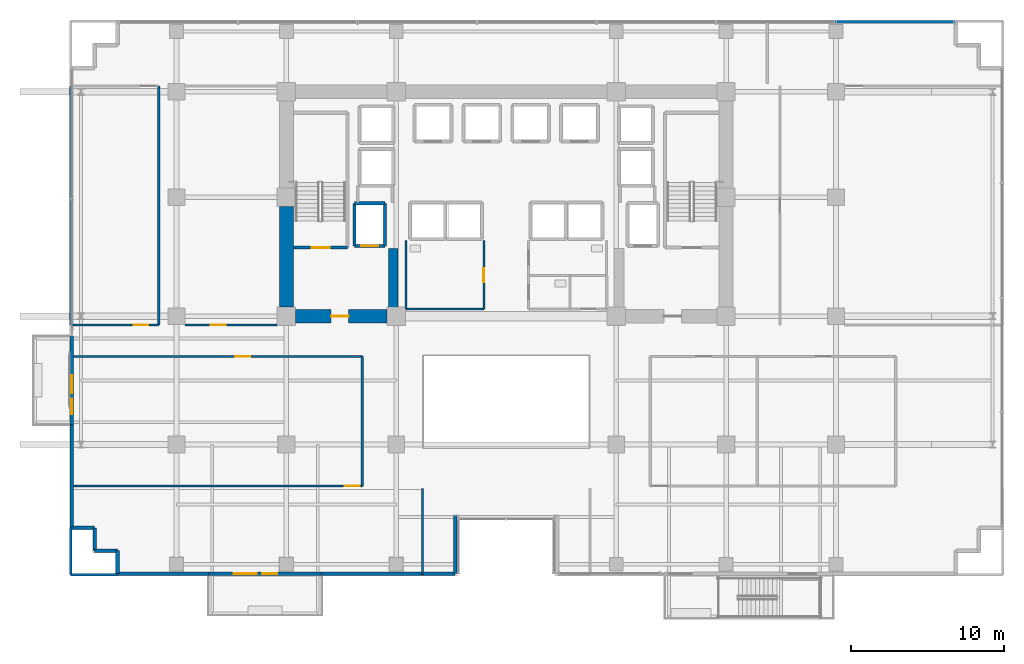
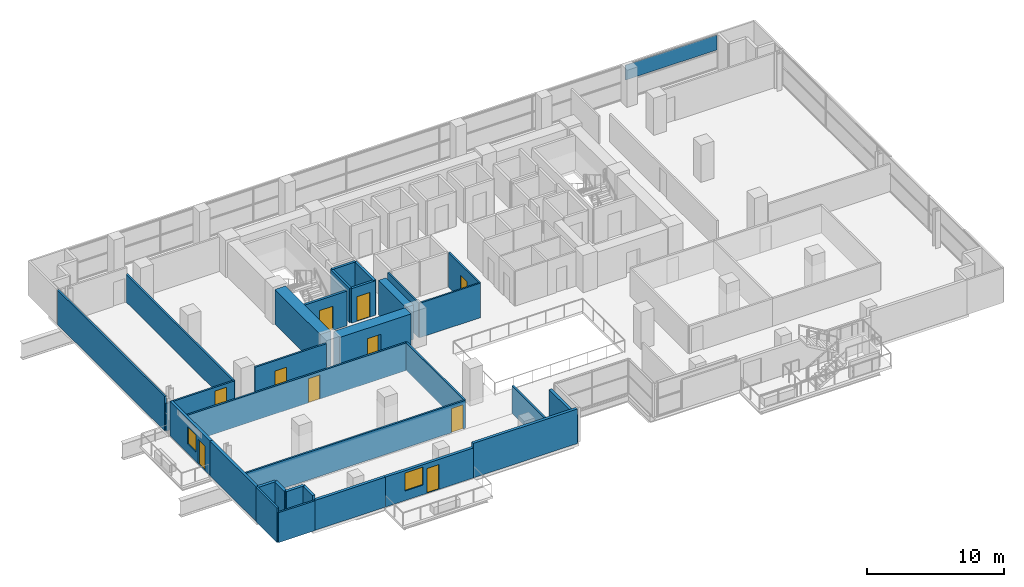
# One storey, part 24 of 31: 31 walls, 10 doors, 2 windows, 1 plate, 12 openings, 1 element without a shape of its own.
"""IFC4 building model written with IfcOpenShell, lengths in metres."""

from ifc_helpers import new_model, si_unit, direction, frame, frame_2d, origin, origin_2d, place, context, subcontext, project, spatial, rectangle, extrude, source, transform, mapped, material, layer, layer_set, type_object, element, fill, aggregate, save


model = new_model("IFC4")

# Units and contexts
model_context = context("Model", 3, precision=1e-05, world=origin(), true_north=direction((0.0, 1.0)))
body_context = subcontext(model_context, "Body", "Model", "MODEL_VIEW")
ifc_project = project(units=[si_unit("LENGTHUNIT", "METRE"), si_unit("AREAUNIT", "SQUARE_METRE"), si_unit("VOLUMEUNIT", "CUBIC_METRE"), si_unit("PLANEANGLEUNIT", "RADIAN"), si_unit("MASSUNIT", "GRAM", prefix="KILO")], contexts=[model_context])

# Site, building, storey
site_placement = place(None, origin())
site = spatial("IfcSite", under=ifc_project, at=site_placement, CompositionType="ELEMENT")
building_placement = place(site_placement, origin())
building = spatial("IfcBuilding", under=site, at=building_placement, Name="Zarnakvel Exchange Tower", CompositionType="ELEMENT")
storey_placement = place(building_placement, frame((0.0, 0.0, 53.800048828125)))
storey = spatial("IfcBuildingStorey", under=building, at=storey_placement, Name="L14", CompositionType="ELEMENT", Elevation=53.800048828125)

# Curtain wall, plate
ifc_material_1 = material(Name="Architectural Bronze Anodised Aluminium", Category="aluminium")
ifc_layer_1 = layer(ifc_material_1, 0.239990234375)
ifc_layer_set_1 = layer_set([ifc_layer_1], Name="Architectural Bronze Anodised Aluminium")
curtain_wall_type = type_object("IfcCurtainWallType", Name="CW-02", PredefinedType="NOTDEFINED", material=ifc_layer_set_1)
curtain_wall_placement = place(storey_placement, origin())
curtain_wall = element("IfcCurtainWall", 1, at=curtain_wall_placement, inside=storey, type_object=curtain_wall_type, Name="L14 Curtain Wall CW-L14-N1 (CW-02)", PredefinedType="NOTDEFINED")
ifc_material_2 = material(Name="Double Low-E Laminated Vision Glass", Category="glass")
ifc_layer_2 = layer(ifc_material_2, 0.031982421875)
ifc_layer_set_2 = layer_set([ifc_layer_2], Name="Double Low-E Laminated Vision Glass")
plate_type = type_object("IfcPlateType", Name="CWP-02", PredefinedType="CURTAIN_PANEL", material=ifc_layer_set_2)
shared_shape_1 = source(origin(), body_context, "Body", "SweptSolid", [
    extrude(rectangle(XDim=7.693603515625, YDim=0.031982421875, at=origin_2d()), origin(), (0.0, 0.0, 1.0), 1.3388671875),
])
plate_placement = place(storey_placement, frame((25.463134765625, 18.06005859375, 1.631103515625), z_axis=(0.0, 0.0, 1.0), x_axis=(1.0, 0.0, 0.0)))
plate = element("IfcPlate", 2, at=plate_placement, type_object=plate_type, Name="CW-02 panel 7.2", PredefinedType="CURTAIN_PANEL", context=body_context, shape_type="MappedRepresentation", body=[
    mapped(shared_shape_1, transform((0.0, 0.0, 0.0), x_axis=(1.0, 0.0, 0.0), y_axis=(0.0, 1.0, 0.0), z_axis=(0.0, 0.0, 1.0), scale=1.0)),
])
aggregate(curtain_wall, [plate])

# Wall
ifc_material_3 = material(Name="Concrete C80/95", Category="concrete")
ifc_layer_3 = layer(ifc_material_3, 0.89990234375)
ifc_layer_set_3 = layer_set([ifc_layer_3], Name="Concrete C80/95")
wall_type_1 = type_object("IfcWallType", Name="CW-C1", PredefinedType="SHEAR", material=ifc_layer_set_3)
wall_1_placement = place(storey_placement, frame((-14.39990234375, -0.60009765625, 0.0), z_axis=(0.0, 0.0, 1.0), x_axis=(0.0, 1.0, 0.0)))
element("IfcWall", 3, at=wall_1_placement, inside=storey, type_object=wall_type_1, Name="L14 Rear Core Shear Wall W1 (CW-C1)", PredefinedType="SHEAR", context=body_context, shape_type="SweptSolid", body=[
    extrude(rectangle(XDim=6.60009765625, YDim=0.89990234375, at=frame_2d((3.300048828125, 0.0))), origin(), (0.0, 0.0, 1.0), 3.074951171875),
])

# Wall, opening, door
wall_2_placement = place(storey_placement, frame((-7.800048828125, -1.199951171875, 0.0), z_axis=(0.0, 0.0, 1.0), x_axis=(-1.0, 0.0, 0.0)))
wall_2 = element("IfcWall", 4, at=wall_2_placement, inside=storey, type_object=wall_type_1, Name="L14 Rear Core Shear Wall SW (CW-C1)", PredefinedType="SHEAR", context=body_context, shape_type="SweptSolid", body=[
    extrude(rectangle(XDim=6.0, YDim=0.89990234375, at=frame_2d((3.0, 0.0))), origin(), (0.0, 0.0, 1.0), 3.074951171875),
])
opening_1_placement = place(wall_2_placement, frame((2.52490234375, 0.0, 0.0)))
opening_1 = element("IfcOpeningElement", 5, at=opening_1_placement, cuts=wall_2, Name="Opening D-L14-03", PredefinedType="OPENING", context=body_context, shape_type="SweptSolid", body=[
    extrude(rectangle(XDim=1.14990234375, YDim=2.14990234375, at=frame_2d((0.574951171875, 1.074951171875))), frame((0.0, 0.4599609375, 0.0), z_axis=(0.0, -1.0, 0.0), x_axis=(1.0, 0.0, 0.0)), (0.0, 0.0, 1.0), 0.919921875),
])
ifc_material_4 = material(Name="Painted Galvanised Steel S355", Category="steel")
door_type_1 = type_object("IfcDoorType", Name="DT-04", OperationType="NOTDEFINED", PredefinedType="DOOR", material=ifc_material_4)
shared_shape_2 = source(origin(), body_context, "Body", "SweptSolid", [
    extrude(rectangle(XDim=1.14990234375, YDim=2.14990234375, at=frame_2d((0.574951171875, 1.074951171875))), frame((0.0, 0.02490234375, 0.0), z_axis=(0.0, -1.0, 0.0), x_axis=(1.0, 0.0, 0.0)), (0.0, 0.0, 1.0), 0.050048828125),
])
door_1_placement = place(opening_1_placement, origin())
door_1 = element("IfcDoor", 6, at=door_1_placement, inside=storey, type_object=door_type_1, Name="L14 Firefighting Lobby West Door D-L14-03", OperationType="SINGLE_SWING_LEFT", OverallHeight=2.14990234375, OverallWidth=1.14990234375, PredefinedType="DOOR", context=body_context, shape_type="MappedRepresentation", body=[
    mapped(shared_shape_2, transform((0.0, 0.0, 0.0), x_axis=(1.0, 0.0, 0.0), y_axis=(0.0, 1.0, 0.0), z_axis=(0.0, 0.0, 1.0), scale=1.0)),
])
fill(opening_1, door_1)

# Wall
ifc_layer_4 = layer(ifc_material_3, 0.64990234375)
ifc_layer_set_4 = layer_set([ifc_layer_4], Name="Concrete C80/95")
wall_type_2 = type_object("IfcWallType", Name="CW-C2", PredefinedType="SHEAR", material=ifc_layer_set_4)
wall_3_placement = place(storey_placement, frame((-7.39990234375, -0.75, 0.0), z_axis=(0.0, 0.0, 1.0), x_axis=(0.0, 1.0, 0.0)))
element("IfcWall", 7, at=wall_3_placement, inside=storey, type_object=wall_type_2, Name="L14 Rear Core Shear Wall IW (CW-C2)", PredefinedType="SHEAR", context=body_context, shape_type="SweptSolid", body=[
    extrude(rectangle(XDim=4.0, YDim=0.64990234375, at=frame_2d((2.0, 0.0))), origin(), (0.0, 0.0, 1.0), 3.074951171875),
])

# Wall, openings, door, window
ifc_material_5 = material(Name="Precast concrete C40/50", Category="concrete")
ifc_layer_5 = layer(ifc_material_5, 0.239990234375)
ifc_layer_set_5 = layer_set([ifc_layer_5], Name="Precast concrete C40/50")
wall_type_3 = type_object("IfcWallType", Name="EW-02", PredefinedType="SOLIDWALL", material=ifc_layer_set_5)
wall_4_placement = place(storey_placement, frame((-12.10009765625, -18.06005859375, 0.0), z_axis=(0.0, 0.0, 1.0), x_axis=(-1.0, 0.0, 0.0)))
wall_4 = element("IfcWall", 8, at=wall_4_placement, inside=storey, type_object=wall_type_3, Name="L14 Exterior Precast Spandrel Wall EW-BAL-L14-SW (EW-02)", PredefinedType="SOLIDWALL", context=body_context, shape_type="SweptSolid", body=[
    extrude(rectangle(XDim=7.39990234375, YDim=0.239990234375, at=frame_2d((3.699951171875, 0.0))), origin(), (0.0, 0.0, 1.0), 2.6650390625),
])
opening_2_placement = place(wall_4_placement, frame((2.885986328125, 0.0, 0.0)))
opening_2 = element("IfcOpeningElement", 9, at=opening_2_placement, cuts=wall_4, Name="Opening BD-L14-01", PredefinedType="OPENING", context=body_context, shape_type="SweptSolid", body=[
    extrude(rectangle(XDim=1.0, YDim=2.199951171875, at=frame_2d((0.5, 1.10009765625))), frame((0.0, 0.1298828125, 0.0), z_axis=(0.0, -1.0, 0.0), x_axis=(1.0, 0.0, 0.0)), (0.0, 0.0, 1.0), 0.260009765625),
])
opening_3_placement = place(wall_4_placement, frame((4.236083984375, 0.0, 0.85009765625)))
opening_3 = element("IfcOpeningElement", 10, at=opening_3_placement, cuts=wall_4, Name="Opening WN-03", PredefinedType="OPENING", context=body_context, shape_type="SweptSolid", body=[
    extrude(rectangle(XDim=1.5, YDim=1.60009765625, at=frame_2d((0.75, 0.800048828125))), frame((0.0, 0.1298828125, 0.0), z_axis=(0.0, -1.0, 0.0), x_axis=(1.0, 0.0, 0.0)), (0.0, 0.0, 1.0), 0.260009765625),
])
door_type_2 = type_object("IfcDoorType", Name="DT-09", OperationType="NOTDEFINED", PredefinedType="DOOR", material=ifc_material_1)
shared_shape_3 = source(origin(), body_context, "Body", "SweptSolid", [
    extrude(rectangle(XDim=1.0, YDim=2.199951171875, at=frame_2d((0.5, 1.10009765625))), frame((0.0, 0.02490234375, 0.0), z_axis=(0.0, -1.0, 0.0), x_axis=(1.0, 0.0, 0.0)), (0.0, 0.0, 1.0), 0.050048828125),
])
door_2_placement = place(opening_2_placement, origin())
door_2 = element("IfcDoor", 11, at=door_2_placement, inside=storey, type_object=door_type_2, Name="L14 Planted Loggia Balcony Door BD-L14-01", OperationType="SINGLE_SWING_RIGHT", OverallHeight=2.199951171875, OverallWidth=1.0, PredefinedType="DOOR", context=body_context, shape_type="MappedRepresentation", body=[
    mapped(shared_shape_3, transform((0.0, 0.0, 0.0), x_axis=(1.0, 0.0, 0.0), y_axis=(0.0, 1.0, 0.0), z_axis=(0.0, 0.0, 1.0), scale=1.0)),
])
fill(opening_2, door_2)
window_type_1 = type_object("IfcWindowType", Name="WN-03", PartitioningType="SINGLE_PANEL", PredefinedType="WINDOW", material=ifc_material_2)
shared_shape_4 = source(origin(), body_context, "Body", "SweptSolid", [
    extrude(rectangle(XDim=1.5, YDim=1.60009765625, at=frame_2d((0.75, 0.800048828125))), frame((0.0, 0.030029296875, 0.0), z_axis=(0.0, -1.0, 0.0), x_axis=(1.0, 0.0, 0.0)), (0.0, 0.0, 1.0), 0.06005859375),
])
window_1_placement = place(opening_3_placement, origin())
window_1 = element("IfcWindow", 12, at=window_1_placement, inside=storey, type_object=window_type_1, Name="L14 Loggia Daylight Window (WN-03)", OverallHeight=1.60009765625, OverallWidth=1.5, PartitioningType="SINGLE_PANEL", PredefinedType="WINDOW", context=body_context, shape_type="MappedRepresentation", body=[
    mapped(shared_shape_4, transform((0.0, 0.0, 0.0), x_axis=(1.0, 0.0, 0.0), y_axis=(0.0, 1.0, 0.0), z_axis=(0.0, 0.0, 1.0), scale=1.0)),
])
fill(opening_3, window_1)

wall_5_placement = place(storey_placement, frame((-28.4599609375, -8.300048828125, 0.0), z_axis=(0.0, 0.0, 1.0), x_axis=(0.0, 1.0, 0.0)))
wall_5 = element("IfcWall", 13, at=wall_5_placement, inside=storey, type_object=wall_type_3, Name="L14 Exterior Precast Spandrel Wall EW-BAL-L14-W (EW-02)", PredefinedType="SOLIDWALL", context=body_context, shape_type="SweptSolid", body=[
    extrude(rectangle(XDim=5.800048828125, YDim=0.239990234375, at=frame_2d((2.89990234375, 0.0))), origin(), (0.0, 0.0, 1.0), 3.074951171875),
])
opening_4_placement = place(wall_5_placement, frame((0.696044921875, 0.0, 0.0)))
opening_4 = element("IfcOpeningElement", 14, at=opening_4_placement, cuts=wall_5, Name="Opening BD-L14-02", PredefinedType="OPENING", context=body_context, shape_type="SweptSolid", body=[
    extrude(rectangle(XDim=1.0, YDim=2.199951171875, at=frame_2d((0.5, 1.10009765625))), frame((0.0, 0.1298828125, 0.0), z_axis=(0.0, -1.0, 0.0), x_axis=(1.0, 0.0, 0.0)), (0.0, 0.0, 1.0), 0.260009765625),
])
opening_5_placement = place(wall_5_placement, frame((2.0458984375, 0.0, 0.85009765625)))
opening_5 = element("IfcOpeningElement", 15, at=opening_5_placement, cuts=wall_5, Name="Opening WN-04", PredefinedType="OPENING", context=body_context, shape_type="SweptSolid", body=[
    extrude(rectangle(XDim=1.199951171875, YDim=1.5, at=frame_2d((0.60009765625, 0.75))), frame((0.0, 0.1298828125, 0.0), z_axis=(0.0, -1.0, 0.0), x_axis=(1.0, 0.0, 0.0)), (0.0, 0.0, 1.0), 0.260009765625),
])
door_3_placement = place(opening_4_placement, origin())
door_3 = element("IfcDoor", 16, at=door_3_placement, inside=storey, type_object=door_type_2, Name="L14 Planted Loggia Balcony Door BD-L14-02", OperationType="SINGLE_SWING_LEFT", OverallHeight=2.199951171875, OverallWidth=1.0, PredefinedType="DOOR", context=body_context, shape_type="MappedRepresentation", body=[
    mapped(shared_shape_3, transform((0.0, 0.0, 0.0), x_axis=(1.0, 0.0, 0.0), y_axis=(0.0, 1.0, 0.0), z_axis=(0.0, 0.0, 1.0), scale=1.0)),
])
fill(opening_4, door_3)
window_type_2 = type_object("IfcWindowType", Name="WN-04", PartitioningType="SINGLE_PANEL", PredefinedType="WINDOW", material=ifc_material_2)
shared_shape_5 = source(origin(), body_context, "Body", "SweptSolid", [
    extrude(rectangle(XDim=1.199951171875, YDim=1.5, at=frame_2d((0.60009765625, 0.75))), frame((0.0, 0.030029296875, 0.0), z_axis=(0.0, -1.0, 0.0), x_axis=(1.0, 0.0, 0.0)), (0.0, 0.0, 1.0), 0.06005859375),
])
window_2_placement = place(opening_5_placement, origin())
window_2 = element("IfcWindow", 17, at=window_2_placement, inside=storey, type_object=window_type_2, Name="L14 Loggia Daylight Window (WN-04)", OverallHeight=1.5, OverallWidth=1.199951171875, PartitioningType="SINGLE_PANEL", PredefinedType="WINDOW", context=body_context, shape_type="MappedRepresentation", body=[
    mapped(shared_shape_5, transform((0.0, 0.0, 0.0), x_axis=(1.0, 0.0, 0.0), y_axis=(0.0, 1.0, 0.0), z_axis=(0.0, 0.0, 1.0), scale=1.0)),
])
fill(opening_5, window_2)

# Walls
wall_6_placement = place(storey_placement, frame((-28.4599609375, -8.300048828125, 0.0), z_axis=(0.0, 0.0, 1.0), x_axis=(0.0, -1.0, 0.0)))
element("IfcWall", 18, at=wall_6_placement, inside=storey, type_object=wall_type_3, Name="L14 Exterior Precast Spandrel Wall EWC-L14-01 (EW-02)", PredefinedType="SOLIDWALL", context=body_context, shape_type="SweptSolid", body=[
    extrude(rectangle(XDim=6.760009765625, YDim=0.239990234375, at=frame_2d((3.3798828125, 0.0))), origin(), (0.0, 0.0, 1.0), 3.074951171875),
])
wall_7_placement = place(storey_placement, frame((-3.340087890625, -18.06005859375, 0.0), z_axis=(0.0, 0.0, 1.0), x_axis=(0.0, 1.0, 0.0)))
element("IfcWall", 19, at=wall_7_placement, inside=storey, type_object=wall_type_3, Name="L14 Exterior Precast Spandrel Wall EWC-L14-20 (EW-02)", PredefinedType="SOLIDWALL", context=body_context, shape_type="SweptSolid", body=[
    extrude(rectangle(XDim=3.800048828125, YDim=0.239990234375, at=frame_2d((1.89990234375, 0.0))), origin(), (0.0, 0.0, 1.0), 2.46484375),
])
wall_8_placement = place(storey_placement, frame((-12.10009765625, -18.06005859375, 0.0), z_axis=(0.0, 0.0, 1.0), x_axis=(1.0, 0.0, 0.0)))
element("IfcWall", 20, at=wall_8_placement, inside=storey, type_object=wall_type_3, Name="L14 Exterior Precast Spandrel Wall EWC-L14-21 (EW-02)", PredefinedType="SOLIDWALL", context=body_context, shape_type="SweptSolid", body=[
    extrude(rectangle(XDim=8.760009765625, YDim=0.239990234375, at=frame_2d((4.3798828125, 0.0))), origin(), (0.0, 0.0, 1.0), 3.074951171875),
])
wall_9_placement = place(storey_placement, frame((-25.4599609375, -18.06005859375, 0.0), z_axis=(0.0, 0.0, 1.0), x_axis=(1.0, 0.0, 0.0)))
element("IfcWall", 21, at=wall_9_placement, inside=storey, type_object=wall_type_3, Name="L14 Exterior Precast Spandrel Wall EWC-L14-22 (EW-02)", PredefinedType="SOLIDWALL", context=body_context, shape_type="SweptSolid", body=[
    extrude(rectangle(XDim=5.9599609375, YDim=0.239990234375, at=frame_2d((2.97998046875, 0.0))), origin(), (0.0, 0.0, 1.0), 2.6650390625),
])
for number, where, z_axis, x_axis, name in (
    (22, (-25.4599609375, -16.56005859375, 0.0), (0.0, 0.0, 1.0), (0.0, -1.0, 0.0), "L14 Exterior Precast Spandrel Wall EWC-L14-23 (EW-02)"),
    (23, (-26.9599609375, -16.56005859375, 0.0), (0.0, 0.0, 1.0), (1.0, 0.0, 0.0), "L14 Exterior Precast Spandrel Wall EWC-L14-24 (EW-02)"),
    (24, (-26.9599609375, -15.06005859375, 0.0), (0.0, 0.0, 1.0), (0.0, -1.0, 0.0), "L14 Exterior Precast Spandrel Wall EWC-L14-25 (EW-02)"),
    (25, (-28.4599609375, -15.06005859375, 0.0), (0.0, 0.0, 1.0), (1.0, 0.0, 0.0), "L14 Exterior Precast Spandrel Wall EWC-L14-26 (EW-02)"),
):
    element("IfcWall", number, at=place(storey_placement, frame(where, z_axis=z_axis, x_axis=x_axis)), inside=storey, type_object=wall_type_3, Name=name, PredefinedType="SOLIDWALL", context=body_context, shape_type="SweptSolid", body=[
        extrude(rectangle(XDim=1.5, YDim=0.239990234375, at=frame_2d((0.75, 0.0))), origin(), (0.0, 0.0, 1.0), 3.074951171875),
    ])

# Wall, opening, door
ifc_material_6 = material(Name="Fire-Rated Gypsum Stud Partition", Category="gypsum")
ifc_layer_6 = layer(ifc_material_6, 0.14990234375)
ifc_layer_set_6 = layer_set([ifc_layer_6], Name="Fire-Rated Gypsum Stud Partition")
wall_type_4 = type_object("IfcWallType", Name="PT-01", PredefinedType="PARTITIONING", material=ifc_layer_set_6)
wall_10_placement = place(storey_placement, frame((-9.429931640625, -12.320068359375, 0.0), z_axis=(0.0, 0.0, 1.0), x_axis=(-1.0, 0.0, 0.0)))
wall_10 = element("IfcWall", 26, at=wall_10_placement, inside=storey, type_object=wall_type_4, Name="L14 Partition Wall PWALL-L14-022 (PT-01)", PredefinedType="PARTITIONING", context=body_context, shape_type="SweptSolid", body=[
    extrude(rectangle(XDim=19.10009765625, YDim=0.14990234375, at=frame_2d((9.550048828125, 0.0))), origin(), (0.0, 0.0, 1.0), 2.46484375),
])
opening_6_placement = place(wall_10_placement, frame((0.179931640625, 0.0, 0.0)))
opening_6 = element("IfcOpeningElement", 27, at=opening_6_placement, cuts=wall_10, Name="Opening D-L14-10", PredefinedType="OPENING", context=body_context, shape_type="SweptSolid", body=[
    extrude(rectangle(XDim=0.97998046875, YDim=2.14990234375, at=frame_2d((0.489990234375, 1.074951171875))), frame((0.0, 0.0849609375, 0.0), z_axis=(0.0, -1.0, 0.0), x_axis=(1.0, 0.0, 0.0)), (0.0, 0.0, 1.0), 0.169921875),
])
ifc_material_7 = material(Name="Timber Acoustic Veneer", Category="wood")
door_type_3 = type_object("IfcDoorType", Name="DT-05", OperationType="NOTDEFINED", PredefinedType="DOOR", material=ifc_material_7)
shared_shape_6 = source(origin(), body_context, "Body", "SweptSolid", [
    extrude(rectangle(XDim=0.97998046875, YDim=2.14990234375, at=frame_2d((0.489990234375, 1.074951171875))), frame((0.0, 0.02490234375, 0.0), z_axis=(0.0, -1.0, 0.0), x_axis=(1.0, 0.0, 0.0)), (0.0, 0.0, 1.0), 0.050048828125),
])
door_4_placement = place(opening_6_placement, origin())
door_4 = element("IfcDoor", 28, at=door_4_placement, inside=storey, type_object=door_type_3, Name="L14 Commodities Dealing Room Door D-L14-10", OperationType="SINGLE_SWING_RIGHT", OverallHeight=2.14990234375, OverallWidth=0.97998046875, PredefinedType="DOOR", context=body_context, shape_type="MappedRepresentation", body=[
    mapped(shared_shape_6, transform((0.0, 0.0, 0.0), x_axis=(1.0, 0.0, 0.0), y_axis=(0.0, 1.0, 0.0), z_axis=(0.0, 0.0, 1.0), scale=1.0)),
])
fill(opening_6, door_4)

wall_11_placement = place(storey_placement, frame((-28.530029296875, -3.830078125, 0.0), z_axis=(0.0, 0.0, 1.0), x_axis=(1.0, 0.0, 0.0)))
wall_11 = element("IfcWall", 29, at=wall_11_placement, inside=storey, type_object=wall_type_4, Name="L14 Partition Wall PWALL-L14-023 (PT-01)", PredefinedType="PARTITIONING", context=body_context, shape_type="SweptSolid", body=[
    extrude(rectangle(XDim=19.10009765625, YDim=0.14990234375, at=frame_2d((9.550048828125, 0.0))), origin(), (0.0, 0.0, 1.0), 2.46484375),
])
opening_7_placement = place(wall_11_placement, frame((10.784912109375, 0.0, 0.0)))
opening_7 = element("IfcOpeningElement", 30, at=opening_7_placement, cuts=wall_11, Name="Opening D-L14-09", PredefinedType="OPENING", context=body_context, shape_type="SweptSolid", body=[
    extrude(rectangle(XDim=0.97998046875, YDim=2.14990234375, at=frame_2d((0.489990234375, 1.074951171875))), frame((0.0, 0.0849609375, 0.0), z_axis=(0.0, -1.0, 0.0), x_axis=(1.0, 0.0, 0.0)), (0.0, 0.0, 1.0), 0.169921875),
])
door_5_placement = place(opening_7_placement, origin())
door_5 = element("IfcDoor", 31, at=door_5_placement, inside=storey, type_object=door_type_3, Name="L14 Commodities Dealing Room Door D-L14-09", OperationType="SINGLE_SWING_LEFT", OverallHeight=2.14990234375, OverallWidth=0.97998046875, PredefinedType="DOOR", context=body_context, shape_type="MappedRepresentation", body=[
    mapped(shared_shape_6, transform((0.0, 0.0, 0.0), x_axis=(1.0, 0.0, 0.0), y_axis=(0.0, 1.0, 0.0), z_axis=(0.0, 0.0, 1.0), scale=1.0)),
])
fill(opening_7, door_5)

# Walls
wall_12_placement = place(storey_placement, frame((-9.429931640625, -3.830078125, 0.0), z_axis=(0.0, 0.0, 1.0), x_axis=(0.0, -1.0, 0.0)))
element("IfcWall", 32, at=wall_12_placement, inside=storey, type_object=wall_type_4, Name="L14 Partition Wall PWALL-L14-025 (PT-01)", PredefinedType="PARTITIONING", context=body_context, shape_type="SweptSolid", body=[
    extrude(rectangle(XDim=8.489990234375, YDim=0.14990234375, at=frame_2d((4.2451171875, 0.0))), origin(), (0.0, 0.0, 1.0), 2.46484375),
])
wall_13_placement = place(storey_placement, frame((-25.4599609375, -18.1298828125, 0.0), z_axis=(0.0, 0.0, 1.0), x_axis=(-1.0, 0.0, 0.0)))
element("IfcWall", 33, at=wall_13_placement, inside=storey, type_object=wall_type_4, Name="L14 Partition Wall PWALL-L14-026 (PT-01)", PredefinedType="PARTITIONING", context=body_context, shape_type="SweptSolid", body=[
    extrude(rectangle(XDim=3.070068359375, YDim=0.14990234375, at=frame_2d((1.53515625, 0.0))), origin(), (0.0, 0.0, 1.0), 2.6650390625),
])
wall_14_placement = place(storey_placement, frame((-28.530029296875, -18.1298828125, 0.0), z_axis=(0.0, 0.0, 1.0), x_axis=(0.0, 1.0, 0.0)))
element("IfcWall", 34, at=wall_14_placement, inside=storey, type_object=wall_type_4, Name="L14 Partition Wall PWALL-L14-027 (PT-01)", PredefinedType="PARTITIONING", context=body_context, shape_type="SweptSolid", body=[
    extrude(rectangle(XDim=3.06982421875, YDim=0.14990234375, at=frame_2d((1.534912109375, 0.0))), origin(), (0.0, 0.0, 1.0), 3.074951171875),
])
wall_15_placement = place(storey_placement, frame((-5.47998046875, -12.47998046875, 0.0), z_axis=(0.0, 0.0, 1.0), x_axis=(0.0, -1.0, 0.0)))
element("IfcWall", 35, at=wall_15_placement, inside=storey, type_object=wall_type_4, Name="L14 Partition Wall PWALL-L14-028 (PT-01)", PredefinedType="PARTITIONING", context=body_context, shape_type="SweptSolid", body=[
    extrude(rectangle(XDim=5.64990234375, YDim=0.14990234375, at=frame_2d((2.824951171875, 0.0))), origin(), (0.0, 0.0, 1.0), 2.46484375),
])

# Wall, opening, door
wall_16_placement = place(storey_placement, frame((-22.7685546875, -1.77001953125, 0.0), z_axis=(0.0, 0.0, 1.0), x_axis=(-1.0, 0.0, 0.0)))
wall_16 = element("IfcWall", 36, at=wall_16_placement, inside=storey, type_object=wall_type_4, Name="L14 Partition Wall PWALL-L14-040 (PT-01)", PredefinedType="PARTITIONING", context=body_context, shape_type="SweptSolid", body=[
    extrude(rectangle(XDim=5.761474609375, YDim=0.14990234375, at=frame_2d((2.880859375, 0.0))), origin(), (0.0, 0.0, 1.0), 2.46484375),
])
opening_8_placement = place(wall_16_placement, frame((0.66552734375, 0.0, 0.0)))
opening_8 = element("IfcOpeningElement", 37, at=opening_8_placement, cuts=wall_16, Name="Opening D-L14-14", PredefinedType="OPENING", context=body_context, shape_type="SweptSolid", body=[
    extrude(rectangle(XDim=0.97998046875, YDim=2.14990234375, at=frame_2d((0.489990234375, 1.074951171875))), frame((0.0, 0.0849609375, 0.0), z_axis=(0.0, -1.0, 0.0), x_axis=(1.0, 0.0, 0.0)), (0.0, 0.0, 1.0), 0.169921875),
])
door_6_placement = place(opening_8_placement, origin())
door_6 = element("IfcDoor", 38, at=door_6_placement, inside=storey, type_object=door_type_3, Name="L14 Boardroom Door D-L14-14", OperationType="SINGLE_SWING_RIGHT", OverallHeight=2.14990234375, OverallWidth=0.97998046875, PredefinedType="DOOR", context=body_context, shape_type="MappedRepresentation", body=[
    mapped(shared_shape_6, transform((0.0, 0.0, 0.0), x_axis=(1.0, 0.0, 0.0), y_axis=(0.0, 1.0, 0.0), z_axis=(0.0, 0.0, 1.0), scale=1.0)),
])
fill(opening_8, door_6)

# Walls
wall_17_placement = place(storey_placement, frame((-28.530029296875, -1.77001953125, 0.0), z_axis=(0.0, 0.0, 1.0), x_axis=(0.0, 1.0, 0.0)))
element("IfcWall", 39, at=wall_17_placement, inside=storey, type_object=wall_type_4, Name="L14 Partition Wall PWALL-L14-042 (PT-01)", PredefinedType="PARTITIONING", context=body_context, shape_type="SweptSolid", body=[
    extrude(rectangle(XDim=15.64990234375, YDim=0.14990234375, at=frame_2d((7.824951171875, 0.0))), origin(), (0.0, 0.0, 1.0), 3.074951171875),
])
wall_18_placement = place(storey_placement, frame((-22.7685546875, 13.8798828125, 0.0), z_axis=(0.0, 0.0, 1.0), x_axis=(0.0, -1.0, 0.0)))
element("IfcWall", 40, at=wall_18_placement, inside=storey, type_object=wall_type_4, Name="L14 Partition Wall PWALL-L14-043 (PT-01)", PredefinedType="PARTITIONING", context=body_context, shape_type="SweptSolid", body=[
    extrude(rectangle(XDim=15.64990234375, YDim=0.14990234375, at=frame_2d((7.824951171875, 0.0))), origin(), (0.0, 0.0, 1.0), 2.46484375),
])

# Wall, opening, door
wall_19_placement = place(storey_placement, frame((-15.02001953125, -1.77001953125, 0.0), z_axis=(0.0, 0.0, 1.0), x_axis=(-1.0, 0.0, 0.0)))
wall_19 = element("IfcWall", 41, at=wall_19_placement, inside=storey, type_object=wall_type_4, Name="L14 Partition Wall PWALL-L14-044 (PT-01)", PredefinedType="PARTITIONING", context=body_context, shape_type="SweptSolid", body=[
    extrude(rectangle(XDim=6.010009765625, YDim=0.14990234375, at=frame_2d((3.0048828125, 0.0))), origin(), (0.0, 0.0, 1.0), 3.074951171875),
])
opening_9_placement = place(wall_19_placement, frame((3.35888671875, 0.0, 0.0)))
opening_9 = element("IfcOpeningElement", 42, at=opening_9_placement, cuts=wall_19, Name="Opening D-L14-15", PredefinedType="OPENING", context=body_context, shape_type="SweptSolid", body=[
    extrude(rectangle(XDim=0.97998046875, YDim=2.14990234375, at=frame_2d((0.489990234375, 1.074951171875))), frame((0.0, 0.0849609375, 0.0), z_axis=(0.0, -1.0, 0.0), x_axis=(1.0, 0.0, 0.0)), (0.0, 0.0, 1.0), 0.169921875),
])
door_7_placement = place(opening_9_placement, origin())
door_7 = element("IfcDoor", 43, at=door_7_placement, inside=storey, type_object=door_type_3, Name="L14 Tea Pantry Door D-L14-15", OperationType="SINGLE_SWING_LEFT", OverallHeight=2.14990234375, OverallWidth=0.97998046875, PredefinedType="DOOR", context=body_context, shape_type="MappedRepresentation", body=[
    mapped(shared_shape_6, transform((0.0, 0.0, 0.0), x_axis=(1.0, 0.0, 0.0), y_axis=(0.0, 1.0, 0.0), z_axis=(0.0, 0.0, 1.0), scale=1.0)),
])
fill(opening_9, door_7)

# Walls
ifc_material_8 = material(Name="Moisture-Resistant Tile-Faced Partition", Category="gypsum")
ifc_layer_7 = layer(ifc_material_8, 0.135009765625)
ifc_layer_set_7 = layer_set([ifc_layer_7], Name="Moisture-Resistant Tile-Faced Partition")
wall_type_5 = type_object("IfcWallType", Name="PT-03", PredefinedType="PARTITIONING", material=ifc_layer_set_7)
wall_20_placement = place(storey_placement, frame((-1.469970703125, -0.72998046875, 0.0), z_axis=(0.0, 0.0, 1.0), x_axis=(-1.0, 0.0, 0.0)))
element("IfcWall", 44, at=wall_20_placement, inside=storey, type_object=wall_type_5, Name="L14 Partition Wall PWALL-L14-011 (PT-03)", PredefinedType="PARTITIONING", context=body_context, shape_type="SweptSolid", body=[
    extrude(rectangle(XDim=5.110107421875, YDim=0.135009765625, at=frame_2d((2.55517578125, 0.0))), origin(), (0.0, 0.0, 1.0), 3.074951171875),
])
wall_21_placement = place(storey_placement, frame((-6.580078125, -0.72998046875, 0.0), z_axis=(0.0, 0.0, 1.0), x_axis=(0.0, 1.0, 0.0)))
element("IfcWall", 45, at=wall_21_placement, inside=storey, type_object=wall_type_5, Name="L14 Partition Wall PWALL-L14-012 (PT-03)", PredefinedType="PARTITIONING", context=body_context, shape_type="SweptSolid", body=[
    extrude(rectangle(XDim=4.489990234375, YDim=0.135009765625, at=frame_2d((2.2451171875, 0.0))), origin(), (0.0, 0.0, 1.0), 3.074951171875),
])

# Wall, opening, door
wall_22_placement = place(storey_placement, frame((-1.469970703125, 3.760009765625, 0.0), z_axis=(0.0, 0.0, 1.0), x_axis=(0.0, -1.0, 0.0)))
wall_22 = element("IfcWall", 46, at=wall_22_placement, inside=storey, type_object=wall_type_5, Name="L14 Partition Wall PWALL-L14-013 (PT-03)", PredefinedType="PARTITIONING", context=body_context, shape_type="SweptSolid", body=[
    extrude(rectangle(XDim=4.489990234375, YDim=0.135009765625, at=frame_2d((2.2451171875, 0.0))), origin(), (0.0, 0.0, 1.0), 3.074951171875),
])
opening_10_placement = place(wall_22_placement, frame((1.800048828125, 0.0, 0.0)))
opening_10 = element("IfcOpeningElement", 47, at=opening_10_placement, cuts=wall_22, Name="Opening D-L14-05", PredefinedType="OPENING", context=body_context, shape_type="SweptSolid", body=[
    extrude(rectangle(XDim=0.919921875, YDim=2.10009765625, at=frame_2d((0.4599609375, 1.050048828125))), frame((0.0, 0.077392578125, 0.0), z_axis=(0.0, -1.0, 0.0), x_axis=(1.0, 0.0, 0.0)), (0.0, 0.0, 1.0), 0.155029296875),
])
ifc_material_9 = material(Name="Moisture-Resistant Laminate Timber", Category="wood")
door_type_4 = type_object("IfcDoorType", Name="DT-07", OperationType="NOTDEFINED", PredefinedType="DOOR", material=ifc_material_9)
shared_shape_7 = source(origin(), body_context, "Body", "SweptSolid", [
    extrude(rectangle(XDim=0.919921875, YDim=2.10009765625, at=frame_2d((0.4599609375, 1.050048828125))), frame((0.0, 0.02490234375, 0.0), z_axis=(0.0, -1.0, 0.0), x_axis=(1.0, 0.0, 0.0)), (0.0, 0.0, 1.0), 0.050048828125),
])
door_8_placement = place(opening_10_placement, origin())
door_8 = element("IfcDoor", 48, at=door_8_placement, inside=storey, type_object=door_type_4, Name="L14 Male Toilet Door D-L14-05", OperationType="SINGLE_SWING_LEFT", OverallHeight=2.10009765625, OverallWidth=0.919921875, PredefinedType="DOOR", context=body_context, shape_type="MappedRepresentation", body=[
    mapped(shared_shape_7, transform((0.0, 0.0, 0.0), x_axis=(1.0, 0.0, 0.0), y_axis=(0.0, 1.0, 0.0), z_axis=(0.0, 0.0, 1.0), scale=1.0)),
])
fill(opening_10, door_8)

ifc_material_10 = material(Name="Concrete C40/50", Category="concrete")
ifc_layer_8 = layer(ifc_material_10, 0.199951171875)
ifc_layer_set_8 = layer_set([ifc_layer_8], Name="Concrete C40/50")
wall_type_6 = type_object("IfcWallType", Name="SW-01", PredefinedType="SOLIDWALL", material=ifc_layer_set_8)
wall_23_placement = place(storey_placement, frame((-7.949951171875, 3.39990234375, 0.0), z_axis=(0.0, 0.0, 1.0), x_axis=(-1.0, 0.0, 0.0)))
wall_23 = element("IfcWall", 49, at=wall_23_placement, inside=storey, type_object=wall_type_6, Name="L14 FL-01 Hoistway Wall South", PredefinedType="SOLIDWALL", context=body_context, shape_type="SweptSolid", body=[
    extrude(rectangle(XDim=2.0, YDim=0.199951171875, at=frame_2d((1.0, 0.0))), origin(), (0.0, 0.0, 1.0), 3.074951171875),
])
opening_11_placement = place(wall_23_placement, frame((0.449951171875, 0.0, 0.0)))
opening_11 = element("IfcOpeningElement", 50, at=opening_11_placement, cuts=wall_23, Name="Opening LD-FL-01-L14", PredefinedType="OPENING", context=body_context, shape_type="SweptSolid", body=[
    extrude(rectangle(XDim=1.10009765625, YDim=2.199951171875, at=frame_2d((0.550048828125, 1.10009765625))), frame((0.0, 0.10986328125, 0.0), z_axis=(0.0, -1.0, 0.0), x_axis=(1.0, 0.0, 0.0)), (0.0, 0.0, 1.0), 0.219970703125),
])
ifc_material_11 = material(Name="Brushed Stainless Steel", Category="steel")
door_type_5 = type_object("IfcDoorType", Name="LDT-01", OperationType="NOTDEFINED", PredefinedType="DOOR", material=ifc_material_11)
shared_shape_8 = source(origin(), body_context, "Body", "SweptSolid", [
    extrude(rectangle(XDim=1.10009765625, YDim=2.199951171875, at=frame_2d((0.550048828125, 1.10009765625))), frame((0.0, 0.02490234375, 0.0), z_axis=(0.0, -1.0, 0.0), x_axis=(1.0, 0.0, 0.0)), (0.0, 0.0, 1.0), 0.050048828125),
])
door_9_placement = place(opening_11_placement, origin())
door_9 = element("IfcDoor", 51, at=door_9_placement, inside=storey, type_object=door_type_5, Name="L14 FL-01 Lift Landing Door LD-FL-01-L14", OperationType="DOUBLE_DOOR_SLIDING", OverallHeight=2.199951171875, OverallWidth=1.10009765625, PredefinedType="DOOR", context=body_context, shape_type="MappedRepresentation", body=[
    mapped(shared_shape_8, transform((0.0, 0.0, 0.0), x_axis=(1.0, 0.0, 0.0), y_axis=(0.0, 1.0, 0.0), z_axis=(0.0, 0.0, 1.0), scale=1.0)),
])
fill(opening_11, door_9)

# Walls
wall_24_placement = place(storey_placement, frame((-9.949951171875, 6.199951171875, 0.0), z_axis=(0.0, 0.0, 1.0), x_axis=(1.0, 0.0, 0.0)))
element("IfcWall", 52, at=wall_24_placement, inside=storey, type_object=wall_type_6, Name="L14 FL-01 Hoistway Wall North", PredefinedType="SOLIDWALL", context=body_context, shape_type="SweptSolid", body=[
    extrude(rectangle(XDim=2.0, YDim=0.199951171875, at=frame_2d((1.0, 0.0))), origin(), (0.0, 0.0, 1.0), 3.074951171875),
])
for number, where, z_axis, x_axis, name in (
    (53, (-9.949951171875, 3.39990234375, 0.0), (0.0, 0.0, 1.0), (0.0, 1.0, 0.0), "L14 FL-01 Hoistway Wall West"),
    (54, (-7.949951171875, 6.199951171875, 0.0), (0.0, 0.0, 1.0), (0.0, -1.0, 0.0), "L14 FL-01 Hoistway Wall East"),
):
    element("IfcWall", number, at=place(storey_placement, frame(where, z_axis=z_axis, x_axis=x_axis)), inside=storey, type_object=wall_type_6, Name=name, PredefinedType="SOLIDWALL", context=body_context, shape_type="SweptSolid", body=[
        extrude(rectangle(XDim=2.800048828125, YDim=0.199951171875, at=frame_2d((1.39990234375, 0.0))), origin(), (0.0, 0.0, 1.0), 3.074951171875),
    ])

# Wall, opening, door
ifc_layer_9 = layer(ifc_material_10, 0.199951171875)
ifc_layer_set_9 = layer_set([ifc_layer_9], Name="Concrete C40/50")
wall_type_7 = type_object("IfcWallType", Name="SW-02", PredefinedType="SOLIDWALL", material=ifc_layer_set_9)
wall_25_placement = place(storey_placement, frame((-10.409912109375, 3.2900390625, 0.0), z_axis=(0.0, 0.0, 1.0), x_axis=(-1.0, 0.0, 0.0)))
wall_25 = element("IfcWall", 55, at=wall_25_placement, inside=storey, type_object=wall_type_7, Name="L14 Stairwell Core Wall PWALL-L14-001 (SW-02)", PredefinedType="SOLIDWALL", context=body_context, shape_type="SweptSolid", body=[
    extrude(rectangle(XDim=3.52001953125, YDim=0.199951171875, at=frame_2d((1.760009765625, 0.0))), origin(), (0.0, 0.0, 1.0), 3.074951171875),
])
opening_12_placement = place(wall_25_placement, frame((1.1650390625, 0.0, 0.0)))
opening_12 = element("IfcOpeningElement", 56, at=opening_12_placement, cuts=wall_25, Name="Opening D-L14-01", PredefinedType="OPENING", context=body_context, shape_type="SweptSolid", body=[
    extrude(rectangle(XDim=1.14990234375, YDim=2.14990234375, at=frame_2d((0.574951171875, 1.074951171875))), frame((0.0, 0.10986328125, 0.0), z_axis=(0.0, -1.0, 0.0), x_axis=(1.0, 0.0, 0.0)), (0.0, 0.0, 1.0), 0.219970703125),
])
door_10_placement = place(opening_12_placement, origin())
door_10 = element("IfcDoor", 57, at=door_10_placement, inside=storey, type_object=door_type_1, Name="L14 Stairwell ST-01 Door D-L14-01", OperationType="SINGLE_SWING_LEFT", OverallHeight=2.14990234375, OverallWidth=1.14990234375, PredefinedType="DOOR", context=body_context, shape_type="MappedRepresentation", body=[
    mapped(shared_shape_2, transform((0.0, 0.0, 0.0), x_axis=(1.0, 0.0, 0.0), y_axis=(0.0, 1.0, 0.0), z_axis=(0.0, 0.0, 1.0), scale=1.0)),
])
fill(opening_12, door_10)

save(model, "model.ifc")
